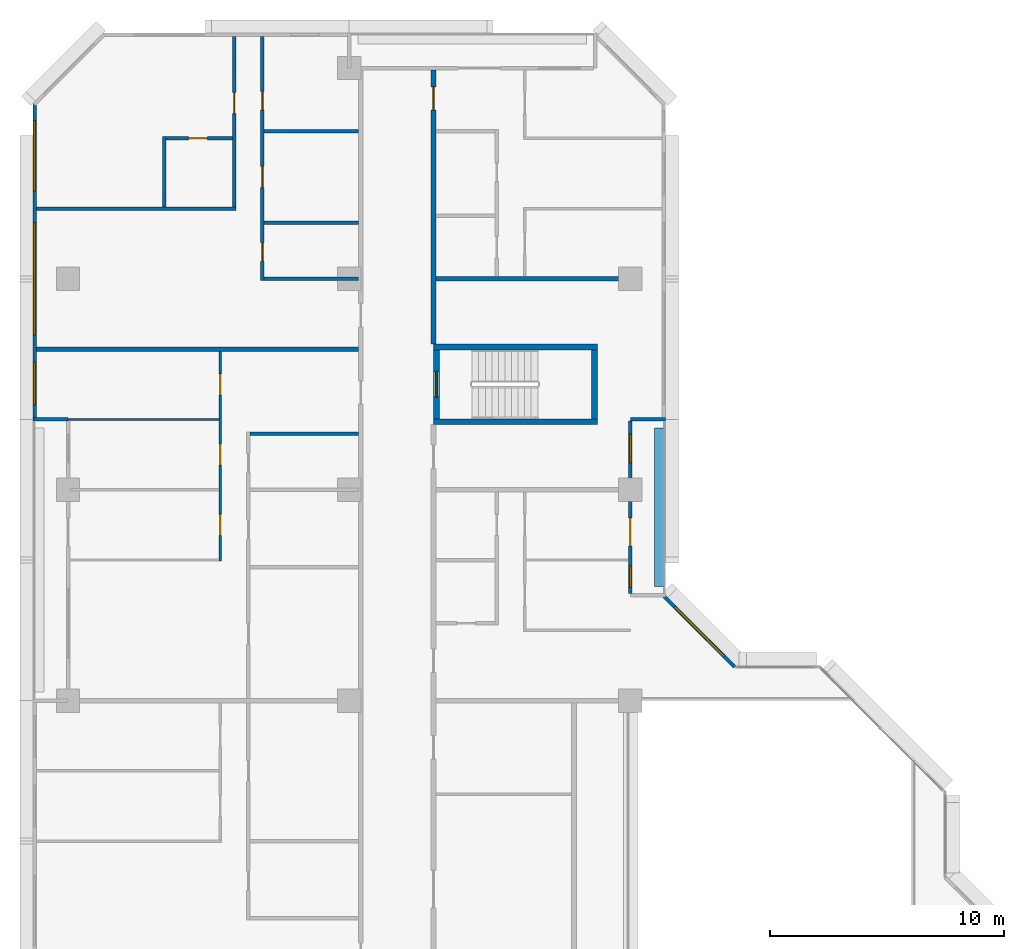
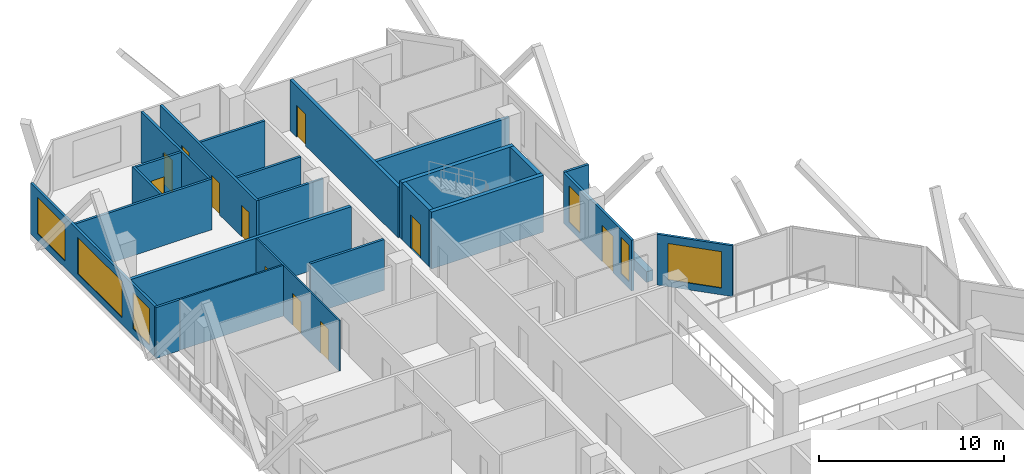
# One storey, part 10 of 15: 24 walls, 11 doors, 6 windows, 17 openings.
"""IFC4 building model written with IfcOpenShell, lengths in metres."""

import ifcopenshell
import ifcopenshell.guid

model = None  # the IFC model being written
_history = None  # IfcOwnerHistory: only IFC2X3 demands one
_inside = {}  # id of a spatial element -> (the spatial element, [elements in it])
_under = {}  # id of a project, library or spatial element -> (it, [spatial elements below it])
_declared = {}  # id of a project -> (the project, [libraries it declares])
_typed = {}  # id of a type object -> (the type object, [elements of that type])
_made_of = {}  # id of a material, layer set ... -> (it, [elements and type objects made of it])


def new_model(schema):
    """Start an empty IFC model of exactly this schema.

    Asked for "IFC4X3", IfcOpenShell would pick the latest addendum, in which some entities
    have other attributes; the version numbers below select the first issue.
    IFC2X3 requires an IfcOwnerHistory on every rooted entity: one is made here for all.
    """
    global model, _history
    if schema == "IFC4X3":
        model = ifcopenshell.file(schema_version=(4, 3, 0, 0))
    else:
        model = ifcopenshell.file(schema=schema)
    _inside.clear()
    _under.clear()
    _declared.clear()
    _typed.clear()
    _made_of.clear()
    _history = None
    if model.schema == "IFC2X3":
        org = make("IfcOrganization", Name="unknown")
        user = make(
            "IfcPersonAndOrganization",
            ThePerson=make("IfcPerson", FamilyName="unknown"),
            TheOrganization=org,
        )
        app = make(
            "IfcApplication",
            ApplicationDeveloper=org,
            Version="unknown",
            ApplicationFullName="unknown",
            ApplicationIdentifier="unknown",
        )
        _history = make(
            "IfcOwnerHistory",
            OwningUser=user,
            OwningApplication=app,
            ChangeAction="ADDED",
            CreationDate=0,
        )
    return model


def make(cls, **values):
    """One entity of the class cls with the attributes given. An attribute that is None is left unset."""
    return model.create_entity(
        cls, **{name: value for name, value in values.items() if value is not None}
    )


def rooted(cls, **values):
    """An entity with a GlobalId (a new one), such as an element, a storey or a relation."""
    return make(cls, GlobalId=ifcopenshell.guid.new(), OwnerHistory=_history, **values)


def si_unit(unit_type, name, prefix=None):
    """IfcSIUnit, for example si_unit("LENGTHUNIT", "METRE", prefix="MILLI")."""
    return make("IfcSIUnit", UnitType=unit_type, Prefix=prefix, Name=name)


def assignment(units):
    """IfcUnitAssignment: the units of a project."""
    return None if units is None else make("IfcUnitAssignment", Units=units)


def point(xyz):
    """IfcCartesianPoint."""
    return None if xyz is None else make("IfcCartesianPoint", Coordinates=xyz)


def direction(xyz):
    """IfcDirection."""
    return None if xyz is None else make("IfcDirection", DirectionRatios=xyz)


def frame(location, z_axis=None, x_axis=None):
    """IfcAxis2Placement3D, a coordinate frame: its origin and axes. An axis left out is left unset."""
    return make(
        "IfcAxis2Placement3D",
        Location=point(location),
        Axis=direction(z_axis),
        RefDirection=direction(x_axis),
    )


def frame_2d(location, x_axis=None):
    """IfcAxis2Placement2D, a coordinate frame in the plane: its origin and x axis."""
    return make(
        "IfcAxis2Placement2D", Location=point(location), RefDirection=direction(x_axis)
    )


def origin():
    """The frame at (0, 0, 0) with its axes left unset."""
    return frame((0.0, 0.0, 0.0))


def place(relative_to, where):
    """IfcLocalPlacement: puts the frame where relative to a parent placement (None: the world)."""
    return make(
        "IfcLocalPlacement", PlacementRelTo=relative_to, RelativePlacement=where
    )


def context(
    kind, dimensions, precision=None, world=None, true_north=None, identifier=None
):
    """IfcGeometricRepresentationContext, for example the 3D "Model" context."""
    return make(
        "IfcGeometricRepresentationContext",
        ContextIdentifier=identifier,
        ContextType=kind,
        CoordinateSpaceDimension=dimensions,
        Precision=precision,
        WorldCoordinateSystem=world,
        TrueNorth=true_north,
    )


def subcontext(parent, identifier, kind, view, scale=None):
    """IfcGeometricRepresentationSubContext, for example "Body" below "Model"."""
    return make(
        "IfcGeometricRepresentationSubContext",
        ContextIdentifier=identifier,
        ContextType=kind,
        ParentContext=parent,
        TargetScale=scale,
        TargetView=view,
    )


def project(units=None, contexts=None):
    """IfcProject with its units and contexts."""
    return rooted(
        "IfcProject",
        Name="project",
        RepresentationContexts=contexts,
        UnitsInContext=assignment(units),
    )


def spatial(cls, under=None, at=None, **own):
    """A site, building, storey or space (cls), placed at a placement, below another one or the project."""
    s = rooted(cls, ObjectPlacement=at, **own)
    if under is not None:
        _under.setdefault(under.id(), (under, []))[1].append(s)
    return s


def profile(cls, at=None, kind="AREA", **sizes):
    """A parametric profile (cls). Its sizes go by their IFC names, for example OverallWidth=200.0."""
    return make(cls, ProfileType=kind, Position=at, **sizes)


def rectangle(**sizes):
    """IfcRectangleProfileDef."""
    return profile("IfcRectangleProfileDef", **sizes)


def extrude(swept, where, along, depth):
    """IfcExtrudedAreaSolid: the profile swept, set in the frame where, extruded along a direction by depth."""
    return make(
        "IfcExtrudedAreaSolid",
        SweptArea=swept,
        Position=where,
        ExtrudedDirection=direction(along),
        Depth=depth,
    )


def shape(context_of_items, identifier, shape_type, items):
    """IfcShapeRepresentation: the items that make up one representation, for example the "Body"."""
    return make(
        "IfcShapeRepresentation",
        ContextOfItems=context_of_items,
        RepresentationIdentifier=identifier,
        RepresentationType=shape_type,
        Items=items,
    )


def material(Name=None, Category=None):
    """IfcMaterial."""
    return make("IfcMaterial", Name=Name, Category=Category)


def layer(
    of_material, thickness, ventilated=None, Name=None, Category=None, Priority=None
):
    """IfcMaterialLayer: one layer of a wall or slab, of a material (None: an air gap)."""
    return make(
        "IfcMaterialLayer",
        Material=of_material,
        LayerThickness=thickness,
        IsVentilated=ventilated,
        Name=Name,
        Category=Category,
        Priority=Priority,
    )


def layer_set(layers, Name=None):
    """IfcMaterialLayerSet."""
    return make("IfcMaterialLayerSet", MaterialLayers=layers, LayerSetName=Name)


def made_of(thing, what):
    """Note that an element or type object is made of a material, layer set ...; save() writes the relation."""
    if what is not None:
        _made_of.setdefault(what.id(), (what, []))[1].append(thing)
    return thing


def type_object(cls, material=None, **own):
    """A type object (cls), such as IfcWallType, which elements share."""
    return made_of(rooted(cls, **own), material)


def element(
    cls,
    number,
    at=None,
    inside=None,
    cuts=None,
    type_object=None,
    material=None,
    context=None,
    identifier="Body",
    shape_type=None,
    held_by="IfcProductDefinitionShape",
    body=None,
    shapes=None,
    **own,
):
    """One element of the class cls, such as IfcWall. Its Tag is "e" and its number.

    at: its placement. inside: the storey or other place that contains it. cuts: it is an
    opening in that element (IfcRelVoidsElement). A single representation is given by context,
    identifier, shape_type and body (its items); several are given by shapes. held_by: the class
    of the entity that holds the representations. save() writes the other relations.
    """
    e = rooted(cls, Tag="e%d" % number, ObjectPlacement=at, **own)
    if body is not None:
        shapes = [shape(context, identifier, shape_type, body)]
    if shapes is not None:
        e.Representation = make(held_by, Representations=shapes)
    if inside is not None:
        _inside.setdefault(inside.id(), (inside, []))[1].append(e)
    if cuts is not None:
        rooted(
            "IfcRelVoidsElement", RelatingBuildingElement=cuts, RelatedOpeningElement=e
        )
    if type_object is not None:
        _typed.setdefault(type_object.id(), (type_object, []))[1].append(e)
    return made_of(e, material)


def fill(opening, filler):
    """IfcRelFillsElement: the door or window that sits in an opening."""
    return rooted(
        "IfcRelFillsElement",
        RelatingOpeningElement=opening,
        RelatedBuildingElement=filler,
    )


def aggregate(whole, parts):
    """IfcRelAggregates: a whole, such as a stair, and the parts it consists of."""
    return rooted("IfcRelAggregates", RelatingObject=whole, RelatedObjects=parts)


def save(model, path):
    """Write the relations noted so far, then the file.

    IfcRelAggregates (storeys below a building ...), IfcRelContainedInSpatialStructure (elements
    in a storey), IfcRelDefinesByType, IfcRelAssociatesMaterial and IfcRelDeclares: one each for
    every whole, place, type object, material and project.
    """
    for whole, parts in _under.values():
        aggregate(whole, parts)
    for where, things in _inside.values():
        rooted(
            "IfcRelContainedInSpatialStructure",
            RelatedElements=things,
            RelatingStructure=where,
        )
    for kind, things in _typed.values():
        rooted("IfcRelDefinesByType", RelatedObjects=things, RelatingType=kind)
    for what, things in _made_of.values():
        rooted("IfcRelAssociatesMaterial", RelatedObjects=things, RelatingMaterial=what)
    for by, libraries in _declared.values():
        rooted("IfcRelDeclares", RelatingContext=by, RelatedDefinitions=libraries)
    model.write(path)


model = new_model("IFC4")

# Units and contexts
model_context = context("Model", 3, precision=1e-05, world=origin(), true_north=direction((0.0, 1.0)))
body_context = subcontext(model_context, "Body", "Model", "MODEL_VIEW")
ifc_project = project(units=[si_unit("LENGTHUNIT", "METRE"), si_unit("AREAUNIT", "SQUARE_METRE"), si_unit("VOLUMEUNIT", "CUBIC_METRE"), si_unit("PLANEANGLEUNIT", "RADIAN"), si_unit("MASSUNIT", "GRAM", prefix="KILO")], contexts=[model_context])

# Site, building, storey
site_placement = place(None, origin())
site = spatial("IfcSite", under=ifc_project, at=site_placement, CompositionType="ELEMENT")
building_placement = place(site_placement, origin())
building = spatial("IfcBuilding", under=site, at=building_placement, Name="Chenar Terraces", CompositionType="ELEMENT")
storey_placement = place(building_placement, frame((0.0, 0.0, 114.39990234375)))
storey = spatial("IfcBuildingStorey", under=building, at=storey_placement, Name="L26", CompositionType="ELEMENT", Elevation=114.39990234375)

# Walls
ifc_material_1 = material(Name="Concrete C70/85", Category="concrete")
ifc_layer_1 = layer(ifc_material_1, 0.25)
ifc_layer_set_1 = layer_set([ifc_layer_1], Name="Concrete C70/85")
wall_type_1 = type_object("IfcWallType", Name="Core wall 250 Concrete C70/85", PredefinedType="SHEAR", material=ifc_layer_set_1)
for number, where, z_axis, x_axis, name in (
    (1, (15.60009765625, 47.89990234375, 0.0), (0.0, 0.0, 1.0), (1.0, 0.0, 0.0), "Core wall ST4_S L26"),
    (2, (15.60009765625, 51.10009765625, 0.0), (0.0, 0.0, 1.0), (1.0, 0.0, 0.0), "Core wall ST4_N L26"),
):
    element("IfcWall", number, at=place(storey_placement, frame(where, z_axis=z_axis, x_axis=x_axis)), inside=storey, type_object=wall_type_1, Name=name, PredefinedType="SHEAR", context=body_context, shape_type="SweptSolid", body=[
        extrude(rectangle(XDim=7.0, YDim=0.25, at=frame_2d((3.5, 0.0))), origin(), (0.0, 0.0, 1.0), 3.75),
    ])

# Wall, opening, door
wall_1_placement = place(storey_placement, frame((15.72509765625, 48.02490234375, 0.0), z_axis=(0.0, 0.0, 1.0), x_axis=(0.0, 1.0, 0.0)))
wall_1 = element("IfcWall", 3, at=wall_1_placement, inside=storey, type_object=wall_type_1, Name="Core wall ST4_W L26", PredefinedType="SHEAR", context=body_context, shape_type="SweptSolid", body=[
    extrude(rectangle(XDim=2.9501953125, YDim=0.25, at=frame_2d((1.47509765625, 0.0))), origin(), (0.0, 0.0, 1.0), 3.75),
])
opening_1_placement = place(wall_1_placement, frame((0.925048828125, 0.0, 0.0)))
opening_1 = element("IfcOpeningElement", 4, at=opening_1_placement, cuts=wall_1, Name="Opening DL26-C9", PredefinedType="OPENING", context=body_context, shape_type="SweptSolid", body=[
    extrude(rectangle(XDim=1.10009765625, YDim=2.199951171875, at=frame_2d((0.550048828125, 1.10009765625))), frame((0.0, 0.135009765625, 0.0), z_axis=(0.0, -1.0, 0.0), x_axis=(1.0, 0.0, 0.0)), (0.0, 0.0, 1.0), 0.27001953125),
])
ifc_material_2 = material(Name="Steel-framed fire-resisting door leaf", Category="steel")
door_type_1 = type_object("IfcDoorType", Name="Stair fire door FD60 1100 x 2200", OperationType="SINGLE_SWING_LEFT", PredefinedType="DOOR", material=ifc_material_2)
door_1_placement = place(opening_1_placement, frame((1.10009765625, 0.0, 0.0), z_axis=(0.0, 0.0, 1.0), x_axis=(-1.0, 0.0, 0.0)))
door_1 = element("IfcDoor", 5, at=door_1_placement, inside=storey, type_object=door_type_1, Name="Stair door DL26-C9", OperationType="SINGLE_SWING_RIGHT", OverallHeight=2.199951171875, OverallWidth=1.10009765625, PredefinedType="DOOR", context=body_context, shape_type="SweptSolid", body=[
    extrude(rectangle(XDim=1.10009765625, YDim=2.199951171875, at=frame_2d((0.550048828125, 1.10009765625))), frame((0.0, 0.02490234375, 0.0), z_axis=(0.0, -1.0, 0.0), x_axis=(1.0, 0.0, 0.0)), (0.0, 0.0, 1.0), 0.050048828125),
])
fill(opening_1, door_1)

# Wall
wall_2_placement = place(storey_placement, frame((22.47509765625, 48.02490234375, 0.0), z_axis=(0.0, 0.0, 1.0), x_axis=(0.0, 1.0, 0.0)))
element("IfcWall", 6, at=wall_2_placement, inside=storey, type_object=wall_type_1, Name="Core wall ST4_E L26", PredefinedType="SHEAR", context=body_context, shape_type="SweptSolid", body=[
    extrude(rectangle(XDim=2.9501953125, YDim=0.25, at=frame_2d((1.47509765625, 0.0))), origin(), (0.0, 0.0, 1.0), 3.75),
])

# Wall, opening, door
ifc_material_3 = material(Name="Gypsum board on steel studs with fire boards", Category="steel")
ifc_layer_2 = layer(ifc_material_3, 0.199951171875)
ifc_layer_set_2 = layer_set([ifc_layer_2], Name="Gypsum board on steel studs with fire boards")
wall_type_2 = type_object("IfcWallType", Name="Corridor wall 200", PredefinedType="PARTITIONING", material=ifc_layer_set_2)
wall_3_placement = place(storey_placement, frame((15.60009765625, 51.22509765625, 0.0), z_axis=(0.0, 0.0, 1.0), x_axis=(0.0, 1.0, 0.0)))
wall_3 = element("IfcWall", 7, at=wall_3_placement, inside=storey, type_object=wall_type_2, Name="Partition L26-035", PredefinedType="PARTITIONING", context=body_context, shape_type="SweptSolid", body=[
    extrude(rectangle(XDim=11.700927734375, YDim=0.199951171875, at=frame_2d((5.8505859375, 0.0))), origin(), (0.0, 0.0, 1.0), 3.35009765625),
])
opening_2_placement = place(wall_3_placement, frame((9.97509765625, 0.0, 0.0)))
opening_2 = element("IfcOpeningElement", 8, at=opening_2_placement, cuts=wall_3, Name="Opening DL26-38", PredefinedType="OPENING", context=body_context, shape_type="SweptSolid", body=[
    extrude(rectangle(XDim=1.0, YDim=2.10009765625, at=frame_2d((0.5, 1.050048828125))), frame((0.0, 0.10986328125, 0.0), z_axis=(0.0, -1.0, 0.0), x_axis=(1.0, 0.0, 0.0)), (0.0, 0.0, 1.0), 0.219970703125),
])
ifc_material_4 = material(Name="Steel-framed fire-resisting door leaf", Category="steel")
door_type_2 = type_object("IfcDoorType", Name="Fire door FD30S 1000 x 2100", OperationType="SINGLE_SWING_LEFT", PredefinedType="DOOR", material=ifc_material_4)
door_2_placement = place(opening_2_placement, frame((1.0, 0.0, 0.0), z_axis=(0.0, 0.0, 1.0), x_axis=(-1.0, 0.0, 0.0)))
door_2 = element("IfcDoor", 9, at=door_2_placement, inside=storey, type_object=door_type_2, Name="Door DL26-38", OperationType="SINGLE_SWING_LEFT", OverallHeight=2.10009765625, OverallWidth=1.0, PredefinedType="DOOR", context=body_context, shape_type="SweptSolid", body=[
    extrude(rectangle(XDim=1.0, YDim=2.10009765625, at=frame_2d((0.5, 1.050048828125))), frame((0.0, 0.02490234375, 0.0), z_axis=(0.0, -1.0, 0.0), x_axis=(1.0, 0.0, 0.0)), (0.0, 0.0, 1.0), 0.050048828125),
])
fill(opening_2, door_2)

# Wall, openings, windows
ifc_material_5 = material(Name="Aluminium framed glazing", Category="aluminium")
ifc_layer_3 = layer(ifc_material_5, 0.14990234375)
ifc_layer_set_3 = layer_set([ifc_layer_3], Name="Aluminium framed glazing")
wall_type_3 = type_object("IfcWallType", Name="Glazed flush facade wall 150", PredefinedType="SOLIDWALL", material=ifc_layer_set_3)
wall_4_placement = place(storey_placement, frame((-1.425048828125, 61.5, 0.0), z_axis=(0.0, 0.0, 1.0), x_axis=(0.0, -1.0, 0.0)))
wall_4 = element("IfcWall", 10, at=wall_4_placement, inside=storey, type_object=wall_type_3, Name="Glazed flush facade wall", PredefinedType="SOLIDWALL", context=body_context, shape_type="SweptSolid", body=[
    extrude(rectangle(XDim=13.425048828125, YDim=0.14990234375, at=frame_2d((6.71240234375, 0.0))), origin(), (0.0, 0.0, 1.0), 3.35009765625),
])
opening_3_placement = place(wall_4_placement, frame((0.75, 0.0, 0.449951171875)))
opening_3 = element("IfcOpeningElement", 11, at=opening_3_placement, cuts=wall_4, Name="Opening W300x240", PredefinedType="OPENING", context=body_context, shape_type="SweptSolid", body=[
    extrude(rectangle(XDim=3.0, YDim=2.39990234375, at=frame_2d((1.5, 1.199951171875))), frame((0.0, 0.0849609375, 0.0), z_axis=(0.0, -1.0, 0.0), x_axis=(1.0, 0.0, 0.0)), (0.0, 0.0, 1.0), 0.169921875),
])
opening_4_placement = place(wall_4_placement, frame((5.10009765625, 0.0, 0.449951171875)))
opening_4 = element("IfcOpeningElement", 12, at=opening_4_placement, cuts=wall_4, Name="Opening W480x240", PredefinedType="OPENING", context=body_context, shape_type="SweptSolid", body=[
    extrude(rectangle(XDim=4.800048828125, YDim=2.39990234375, at=frame_2d((2.39990234375, 1.199951171875))), frame((0.0, 0.0849609375, 0.0), z_axis=(0.0, -1.0, 0.0), x_axis=(1.0, 0.0, 0.0)), (0.0, 0.0, 1.0), 0.169921875),
])
opening_5_placement = place(wall_4_placement, frame((11.0625, 0.0, 0.449951171875)))
opening_5 = element("IfcOpeningElement", 13, at=opening_5_placement, cuts=wall_4, Name="Opening W180x240", PredefinedType="OPENING", context=body_context, shape_type="SweptSolid", body=[
    extrude(rectangle(XDim=1.800048828125, YDim=2.39990234375, at=frame_2d((0.89990234375, 1.199951171875))), frame((0.0, 0.0849609375, 0.0), z_axis=(0.0, -1.0, 0.0), x_axis=(1.0, 0.0, 0.0)), (0.0, 0.0, 1.0), 0.169921875),
])
ifc_material_6 = material(Name="Low emissivity double glazing, aluminium frame", Category="aluminium")
window_type_1 = type_object("IfcWindowType", Name="Fixed light 1800 x 2400", PartitioningType="SINGLE_PANEL", PredefinedType="WINDOW", material=ifc_material_6)
window_1_placement = place(opening_5_placement, origin())
window_1 = element("IfcWindow", 14, at=window_1_placement, inside=storey, type_object=window_type_1, Name="Window", OverallHeight=2.39990234375, OverallWidth=1.800048828125, PartitioningType="SINGLE_PANEL", PredefinedType="WINDOW", context=body_context, shape_type="SweptSolid", body=[
    extrude(rectangle(XDim=1.800048828125, YDim=2.39990234375, at=frame_2d((0.89990234375, 1.199951171875))), frame((0.0, 0.030029296875, 0.0), z_axis=(0.0, -1.0, 0.0), x_axis=(1.0, 0.0, 0.0)), (0.0, 0.0, 1.0), 0.06005859375),
])
fill(opening_5, window_1)
ifc_material_7 = material(Name="Low emissivity double glazing, aluminium frame", Category="aluminium")
window_type_2 = type_object("IfcWindowType", Name="Fixed light 3000 x 2400", PartitioningType="SINGLE_PANEL", PredefinedType="WINDOW", material=ifc_material_7)
window_2_placement = place(opening_3_placement, origin())
window_2 = element("IfcWindow", 15, at=window_2_placement, inside=storey, type_object=window_type_2, Name="Window", OverallHeight=2.39990234375, OverallWidth=3.0, PartitioningType="SINGLE_PANEL", PredefinedType="WINDOW", context=body_context, shape_type="SweptSolid", body=[
    extrude(rectangle(XDim=3.0, YDim=2.39990234375, at=frame_2d((1.5, 1.199951171875))), frame((0.0, 0.030029296875, 0.0), z_axis=(0.0, -1.0, 0.0), x_axis=(1.0, 0.0, 0.0)), (0.0, 0.0, 1.0), 0.06005859375),
])
fill(opening_3, window_2)
ifc_material_8 = material(Name="Low emissivity double glazing, aluminium frame", Category="aluminium")
window_type_3 = type_object("IfcWindowType", Name="Fixed light 4800 x 2400", PartitioningType="SINGLE_PANEL", PredefinedType="WINDOW", material=ifc_material_8)
window_3_placement = place(opening_4_placement, origin())
window_3 = element("IfcWindow", 16, at=window_3_placement, inside=storey, type_object=window_type_3, Name="Window", OverallHeight=2.39990234375, OverallWidth=4.800048828125, PartitioningType="SINGLE_PANEL", PredefinedType="WINDOW", context=body_context, shape_type="SweptSolid", body=[
    extrude(rectangle(XDim=4.800048828125, YDim=2.39990234375, at=frame_2d((2.39990234375, 1.199951171875))), frame((0.0, 0.030029296875, 0.0), z_axis=(0.0, -1.0, 0.0), x_axis=(1.0, 0.0, 0.0)), (0.0, 0.0, 1.0), 0.06005859375),
])
fill(opening_4, window_3)

# Wall, openings, windows, door
ifc_material_9 = material(Name="Aluminium framed glazing", Category="aluminium")
ifc_layer_4 = layer(ifc_material_9, 0.14990234375)
ifc_layer_set_4 = layer_set([ifc_layer_4], Name="Aluminium framed glazing")
wall_type_4 = type_object("IfcWallType", Name="Glazed loggia back wall 150", PredefinedType="SOLIDWALL", material=ifc_layer_set_4)
wall_5_placement = place(storey_placement, frame((24.0, 40.574951171875, 0.0), z_axis=(0.0, 0.0, 1.0), x_axis=(0.0, 1.0, 0.0)))
wall_5 = element("IfcWall", 17, at=wall_5_placement, inside=storey, type_object=wall_type_4, Name="Glazed loggia back wall", PredefinedType="SOLIDWALL", context=body_context, shape_type="SweptSolid", body=[
    extrude(rectangle(XDim=7.35009765625, YDim=0.14990234375, at=frame_2d((3.675048828125, 0.0))), origin(), (0.0, 0.0, 1.0), 3.35009765625),
])
opening_6_placement = place(wall_5_placement, frame((0.262451171875, 0.0, 0.449951171875)))
opening_6 = element("IfcOpeningElement", 18, at=opening_6_placement, cuts=wall_5, Name="Opening W90x240", PredefinedType="OPENING", context=body_context, shape_type="SweptSolid", body=[
    extrude(rectangle(XDim=0.89990234375, YDim=2.39990234375, at=frame_2d((0.449951171875, 1.199951171875))), frame((0.0, 0.0849609375, 0.0), z_axis=(0.0, -1.0, 0.0), x_axis=(1.0, 0.0, 0.0)), (0.0, 0.0, 1.0), 0.169921875),
])
opening_7_placement = place(wall_5_placement, frame((2.02490234375, 0.0, 0.0)))
opening_7 = element("IfcOpeningElement", 19, at=opening_7_placement, cuts=wall_5, Name="Opening DL26-G2", PredefinedType="OPENING", context=body_context, shape_type="SweptSolid", body=[
    extrude(rectangle(XDim=1.199951171875, YDim=2.39990234375, at=frame_2d((0.60009765625, 1.199951171875))), frame((0.0, 0.0849609375, 0.0), z_axis=(0.0, -1.0, 0.0), x_axis=(1.0, 0.0, 0.0)), (0.0, 0.0, 1.0), 0.169921875),
])
opening_8_placement = place(wall_5_placement, frame((5.58740234375, 0.0, 0.449951171875)))
opening_8 = element("IfcOpeningElement", 20, at=opening_8_placement, cuts=wall_5, Name="Opening W120x240", PredefinedType="OPENING", context=body_context, shape_type="SweptSolid", body=[
    extrude(rectangle(XDim=1.199951171875, YDim=2.39990234375, at=frame_2d((0.60009765625, 1.199951171875))), frame((0.0, 0.0849609375, 0.0), z_axis=(0.0, -1.0, 0.0), x_axis=(1.0, 0.0, 0.0)), (0.0, 0.0, 1.0), 0.169921875),
])
ifc_material_10 = material(Name="Low emissivity double glazing, aluminium frame", Category="aluminium")
window_type_4 = type_object("IfcWindowType", Name="Fixed light 1200 x 2400", PartitioningType="SINGLE_PANEL", PredefinedType="WINDOW", material=ifc_material_10)
window_4_placement = place(opening_8_placement, origin())
window_4 = element("IfcWindow", 21, at=window_4_placement, inside=storey, type_object=window_type_4, Name="Window", OverallHeight=2.39990234375, OverallWidth=1.199951171875, PartitioningType="SINGLE_PANEL", PredefinedType="WINDOW", context=body_context, shape_type="SweptSolid", body=[
    extrude(rectangle(XDim=1.199951171875, YDim=2.39990234375, at=frame_2d((0.60009765625, 1.199951171875))), frame((0.0, 0.030029296875, 0.0), z_axis=(0.0, -1.0, 0.0), x_axis=(1.0, 0.0, 0.0)), (0.0, 0.0, 1.0), 0.06005859375),
])
fill(opening_8, window_4)
ifc_material_11 = material(Name="Low emissivity double glazing, aluminium frame", Category="aluminium")
window_type_5 = type_object("IfcWindowType", Name="Fixed light 900 x 2400", PartitioningType="SINGLE_PANEL", PredefinedType="WINDOW", material=ifc_material_11)
window_5_placement = place(opening_6_placement, origin())
window_5 = element("IfcWindow", 22, at=window_5_placement, inside=storey, type_object=window_type_5, Name="Window", OverallHeight=2.39990234375, OverallWidth=0.89990234375, PartitioningType="SINGLE_PANEL", PredefinedType="WINDOW", context=body_context, shape_type="SweptSolid", body=[
    extrude(rectangle(XDim=0.89990234375, YDim=2.39990234375, at=frame_2d((0.449951171875, 1.199951171875))), frame((0.0, 0.030029296875, 0.0), z_axis=(0.0, -1.0, 0.0), x_axis=(1.0, 0.0, 0.0)), (0.0, 0.0, 1.0), 0.06005859375),
])
fill(opening_6, window_5)
ifc_material_12 = material(Name="Low emissivity double glazing, aluminium frame", Category="aluminium")
door_type_3 = type_object("IfcDoorType", Name="Loggia glazed double door 1200 x 2400", OperationType="DOUBLE_DOOR_SINGLE_SWING", PredefinedType="DOOR", material=ifc_material_12)
door_3_placement = place(opening_7_placement, frame((1.199951171875, 0.0, 0.0), z_axis=(0.0, 0.0, 1.0), x_axis=(-1.0, 0.0, 0.0)))
door_3 = element("IfcDoor", 23, at=door_3_placement, inside=storey, type_object=door_type_3, Name="Loggia glazed door", OperationType="DOUBLE_DOOR_SINGLE_SWING", OverallHeight=2.39990234375, OverallWidth=1.199951171875, PredefinedType="DOOR", context=body_context, shape_type="SweptSolid", body=[
    extrude(rectangle(XDim=1.199951171875, YDim=2.39990234375, at=frame_2d((0.60009765625, 1.199951171875))), frame((0.0, 0.02490234375, 0.0), z_axis=(0.0, -1.0, 0.0), x_axis=(1.0, 0.0, 0.0)), (0.0, 0.0, 1.0), 0.050048828125),
])
fill(opening_7, door_3)

# Wall
ifc_material_13 = material(Name="Gypsum board on steel studs", Category="steel")
ifc_layer_5 = layer(ifc_material_13, 0.10009765625)
ifc_layer_set_5 = layer_set([ifc_layer_5], Name="Gypsum board on steel studs")
wall_type_5 = type_object("IfcWallType", Name="Gypsum partition 100", PredefinedType="PARTITIONING", material=ifc_layer_set_5)
wall_6_placement = place(storey_placement, frame((0.0, 48.0, 0.0), z_axis=(0.0, 0.0, 1.0), x_axis=(1.0, 0.0, 0.0)))
element("IfcWall", 24, at=wall_6_placement, inside=storey, type_object=wall_type_5, Name="Partition L26-004", PredefinedType="PARTITIONING", context=body_context, shape_type="SweptSolid", body=[
    extrude(rectangle(XDim=6.449951171875, YDim=0.10009765625, at=frame_2d((3.22509765625, 0.0))), origin(), (0.0, 0.0, 1.0), 3.35009765625),
])

# Wall, openings, doors
wall_7_placement = place(storey_placement, frame((6.5, 41.949951171875, 0.0), z_axis=(0.0, 0.0, 1.0), x_axis=(0.0, 1.0, 0.0)))
wall_7 = element("IfcWall", 25, at=wall_7_placement, inside=storey, type_object=wall_type_5, Name="Partition L26-015", PredefinedType="PARTITIONING", context=body_context, shape_type="SweptSolid", body=[
    extrude(rectangle(XDim=8.949951171875, YDim=0.10009765625, at=frame_2d((4.47509765625, 0.0))), origin(), (0.0, 0.0, 1.0), 3.35009765625),
])
opening_9_placement = place(wall_7_placement, frame((1.10009765625, 0.0, 0.0)))
opening_9 = element("IfcOpeningElement", 26, at=opening_9_placement, cuts=wall_7, Name="Opening DL26-40", PredefinedType="OPENING", context=body_context, shape_type="SweptSolid", body=[
    extrude(rectangle(XDim=0.89990234375, YDim=2.10009765625, at=frame_2d((0.449951171875, 1.050048828125))), frame((0.0, 0.06005859375, 0.0), z_axis=(0.0, -1.0, 0.0), x_axis=(1.0, 0.0, 0.0)), (0.0, 0.0, 1.0), 0.1201171875),
])
opening_10_placement = place(wall_7_placement, frame((7.10009765625, 0.0, 0.0)))
opening_10 = element("IfcOpeningElement", 27, at=opening_10_placement, cuts=wall_7, Name="Opening DL26-41", PredefinedType="OPENING", context=body_context, shape_type="SweptSolid", body=[
    extrude(rectangle(XDim=0.89990234375, YDim=2.10009765625, at=frame_2d((0.449951171875, 1.050048828125))), frame((0.0, 0.06005859375, 0.0), z_axis=(0.0, -1.0, 0.0), x_axis=(1.0, 0.0, 0.0)), (0.0, 0.0, 1.0), 0.1201171875),
])
opening_11_placement = place(wall_7_placement, frame((4.10009765625, 0.0, 0.0)))
opening_11 = element("IfcOpeningElement", 28, at=opening_11_placement, cuts=wall_7, Name="Opening DL26-44", PredefinedType="OPENING", context=body_context, shape_type="SweptSolid", body=[
    extrude(rectangle(XDim=0.89990234375, YDim=2.10009765625, at=frame_2d((0.449951171875, 1.050048828125))), frame((0.0, 0.06005859375, 0.0), z_axis=(0.0, -1.0, 0.0), x_axis=(1.0, 0.0, 0.0)), (0.0, 0.0, 1.0), 0.1201171875),
])
ifc_material_14 = material(Name="Veneered timber door leaf", Category="wood")
door_type_4 = type_object("IfcDoorType", Name="Door 900 x 2100", OperationType="SINGLE_SWING_LEFT", PredefinedType="DOOR", material=ifc_material_14)
door_4_placement = place(opening_9_placement, origin())
door_4 = element("IfcDoor", 29, at=door_4_placement, inside=storey, type_object=door_type_4, Name="Door DL26-40", OperationType="SINGLE_SWING_LEFT", OverallHeight=2.10009765625, OverallWidth=0.89990234375, PredefinedType="DOOR", context=body_context, shape_type="SweptSolid", body=[
    extrude(rectangle(XDim=0.89990234375, YDim=2.10009765625, at=frame_2d((0.449951171875, 1.050048828125))), frame((0.0, 0.02490234375, 0.0), z_axis=(0.0, -1.0, 0.0), x_axis=(1.0, 0.0, 0.0)), (0.0, 0.0, 1.0), 0.050048828125),
])
fill(opening_9, door_4)
door_5_placement = place(opening_10_placement, origin())
door_5 = element("IfcDoor", 30, at=door_5_placement, inside=storey, type_object=door_type_4, Name="Door DL26-41", OperationType="SINGLE_SWING_RIGHT", OverallHeight=2.10009765625, OverallWidth=0.89990234375, PredefinedType="DOOR", context=body_context, shape_type="SweptSolid", body=[
    extrude(rectangle(XDim=0.89990234375, YDim=2.10009765625, at=frame_2d((0.449951171875, 1.050048828125))), frame((0.0, 0.02490234375, 0.0), z_axis=(0.0, -1.0, 0.0), x_axis=(1.0, 0.0, 0.0)), (0.0, 0.0, 1.0), 0.050048828125),
])
fill(opening_10, door_5)
door_6_placement = place(opening_11_placement, origin())
door_6 = element("IfcDoor", 31, at=door_6_placement, inside=storey, type_object=door_type_4, Name="Door DL26-44", OperationType="SINGLE_SWING_LEFT", OverallHeight=2.10009765625, OverallWidth=0.89990234375, PredefinedType="DOOR", context=body_context, shape_type="SweptSolid", body=[
    extrude(rectangle(XDim=0.89990234375, YDim=2.10009765625, at=frame_2d((0.449951171875, 1.050048828125))), frame((0.0, 0.02490234375, 0.0), z_axis=(0.0, -1.0, 0.0), x_axis=(1.0, 0.0, 0.0)), (0.0, 0.0, 1.0), 0.050048828125),
])
fill(opening_11, door_6)

# Walls
ifc_material_15 = material(Name="Terracotta cladding on insulated backing", Category="masonry")
ifc_layer_6 = layer(ifc_material_15, 0.14990234375)
ifc_layer_set_6 = layer_set([ifc_layer_6], Name="Terracotta cladding on insulated backing")
wall_type_6 = type_object("IfcWallType", Name="Loggia return wall 150", PredefinedType="SOLIDWALL", material=ifc_layer_set_6)
for number, where, z_axis, x_axis, name in (
    (32, (25.5, 48.0, 0.0), (0.0, 0.0, 1.0), (-1.0, 0.0, 0.0), "Loggia return wall"),
    (33, (-1.5, 48.0, 0.0), (0.0, 0.0, 1.0), (1.0, 0.0, 0.0), "Loggia return wall"),
):
    element("IfcWall", number, at=place(storey_placement, frame(where, z_axis=z_axis, x_axis=x_axis)), inside=storey, type_object=wall_type_6, Name=name, PredefinedType="SOLIDWALL", context=body_context, shape_type="SweptSolid", body=[
        extrude(rectangle(XDim=1.5, YDim=0.14990234375, at=frame_2d((0.75, 0.0))), origin(), (0.0, 0.0, 1.0), 3.35009765625),
    ])

# Wall, opening, window
ifc_material_16 = material(Name="Terracotta cladding on insulated backing", Category="masonry")
ifc_layer_7 = layer(ifc_material_16, 0.14990234375)
ifc_layer_set_7 = layer_set([ifc_layer_7], Name="Terracotta cladding on insulated backing")
wall_type_7 = type_object("IfcWallType", Name="Terracotta rainscreen wall 150", PredefinedType="SOLIDWALL", material=ifc_layer_set_7)
wall_8_placement = place(storey_placement, frame((28.447021484375, 37.447021484375, 0.0), z_axis=(0.0, 0.0, 1.0), x_axis=(-0.707106781187, 0.707106781187, 0.0)))
wall_8 = element("IfcWall", 34, at=wall_8_placement, inside=storey, type_object=wall_type_7, Name="Terracotta rainscreen wall", PredefinedType="SOLIDWALL", context=body_context, shape_type="SweptSolid", body=[
    extrude(rectangle(XDim=4.24267578125, YDim=0.14990234375, at=frame_2d((2.121337890625, 0.0))), origin(), (0.0, 0.0, 1.0), 3.35009765625),
])
opening_12_placement = place(wall_8_placement, frame((0.621337890625, 0.0, 0.449951171875)))
opening_12 = element("IfcOpeningElement", 35, at=opening_12_placement, cuts=wall_8, Name="Opening W300x240", PredefinedType="OPENING", context=body_context, shape_type="SweptSolid", body=[
    extrude(rectangle(XDim=3.0, YDim=2.39990234375, at=frame_2d((1.5, 1.199951171875))), frame((0.0, 0.0849609375, 0.0), z_axis=(0.0, -1.0, 0.0), x_axis=(1.0, 0.0, 0.0)), (0.0, 0.0, 1.0), 0.169921875),
])
window_6_placement = place(opening_12_placement, origin())
window_6 = element("IfcWindow", 36, at=window_6_placement, inside=storey, type_object=window_type_2, Name="Window", OverallHeight=2.39990234375, OverallWidth=3.0, PartitioningType="SINGLE_PANEL", PredefinedType="WINDOW", context=body_context, shape_type="SweptSolid", body=[
    extrude(rectangle(XDim=3.0, YDim=2.39990234375, at=frame_2d((1.5, 1.199951171875))), frame((0.0, 0.030029296875, 0.0), z_axis=(0.0, -1.0, 0.0), x_axis=(1.0, 0.0, 0.0)), (0.0, 0.0, 1.0), 0.06005859375),
])
fill(opening_12, window_6)

# Walls
ifc_material_17 = material(Name="Twin gypsum board on steel studs with mineral wool", Category="steel")
ifc_layer_8 = layer(ifc_material_17, 0.199951171875)
ifc_layer_set_8 = layer_set([ifc_layer_8], Name="Twin gypsum board on steel studs with mineral wool")
wall_type_8 = type_object("IfcWallType", Name="Unit demising wall 200", PredefinedType="PARTITIONING", material=ifc_layer_set_8)
wall_9_placement = place(storey_placement, frame((-1.35009765625, 51.0, 0.0), z_axis=(0.0, 0.0, 1.0), x_axis=(1.0, 0.0, 0.0)))
element("IfcWall", 37, at=wall_9_placement, inside=storey, type_object=wall_type_8, Name="Partition L26-005", PredefinedType="PARTITIONING", context=body_context, shape_type="SweptSolid", body=[
    extrude(rectangle(XDim=13.75, YDim=0.199951171875, at=frame_2d((6.875, 0.0))), origin(), (0.0, 0.0, 1.0), 3.35009765625),
])
wall_10_placement = place(storey_placement, frame((15.699951171875, 54.0, 0.0), z_axis=(0.0, 0.0, 1.0), x_axis=(1.0, 0.0, 0.0)))
element("IfcWall", 38, at=wall_10_placement, inside=storey, type_object=wall_type_8, Name="Partition L26-042", PredefinedType="PARTITIONING", context=body_context, shape_type="SweptSolid", body=[
    extrude(rectangle(XDim=8.300048828125, YDim=0.199951171875, at=frame_2d((4.14990234375, 0.0))), origin(), (0.0, 0.0, 1.0), 3.35009765625),
])
ifc_material_18 = material(Name="GRP planter trough")
ifc_layer_9 = layer(ifc_material_18, 0.39990234375)
ifc_layer_set_9 = layer_set([ifc_layer_9], Name="GRP planter trough")
wall_type_9 = type_object("IfcWallType", Name="Vertical greenery planter 400", PredefinedType="SOLIDWALL", material=ifc_layer_set_9)
wall_11_placement = place(storey_placement, frame((25.22900390625, 40.875, 0.0), z_axis=(0.0, 0.0, 1.0), x_axis=(0.0, 1.0, 0.0)))
element("IfcWall", 39, at=wall_11_placement, inside=storey, type_object=wall_type_9, Name="Vertical greenery planter", PredefinedType="SOLIDWALL", context=body_context, shape_type="SweptSolid", body=[
    extrude(rectangle(XDim=6.75, YDim=0.39990234375, at=frame_2d((3.375, 0.0))), origin(), (0.0, 0.0, 1.0), 0.7001953125),
])
ifc_material_19 = material(Name="Moisture-resistant gypsum board on steel studs", Category="steel")
ifc_layer_10 = layer(ifc_material_19, 0.14990234375)
ifc_layer_set_10 = layer_set([ifc_layer_10], Name="Moisture-resistant gypsum board on steel studs")
wall_type_10 = type_object("IfcWallType", Name="Wet-room partition 150", PredefinedType="PARTITIONING", material=ifc_layer_set_10)
wall_12_placement = place(storey_placement, frame((-1.35009765625, 57.0, 0.0), z_axis=(0.0, 0.0, 1.0), x_axis=(1.0, 0.0, 0.0)))
element("IfcWall", 40, at=wall_12_placement, inside=storey, type_object=wall_type_10, Name="Partition L26-006", PredefinedType="PARTITIONING", context=body_context, shape_type="SweptSolid", body=[
    extrude(rectangle(XDim=8.525146484375, YDim=0.14990234375, at=frame_2d((4.2626953125, 0.0))), origin(), (0.0, 0.0, 1.0), 3.35009765625),
])
wall_13_placement = place(storey_placement, frame((4.10009765625, 57.074951171875, 0.0), z_axis=(0.0, 0.0, 1.0), x_axis=(0.0, 1.0, 0.0)))
element("IfcWall", 41, at=wall_13_placement, inside=storey, type_object=wall_type_10, Name="Partition L26-012", PredefinedType="PARTITIONING", context=body_context, shape_type="SweptSolid", body=[
    extrude(rectangle(XDim=3.0, YDim=0.14990234375, at=frame_2d((1.5, 0.0))), origin(), (0.0, 0.0, 1.0), 3.35009765625),
])

# Wall, opening, door
wall_14_placement = place(storey_placement, frame((4.175048828125, 60.0, 0.0), z_axis=(0.0, 0.0, 1.0), x_axis=(1.0, 0.0, 0.0)))
wall_14 = element("IfcWall", 42, at=wall_14_placement, inside=storey, type_object=wall_type_10, Name="Partition L26-013", PredefinedType="PARTITIONING", context=body_context, shape_type="SweptSolid", body=[
    extrude(rectangle(XDim=2.849853515625, YDim=0.14990234375, at=frame_2d((1.4248046875, 0.0))), origin(), (0.0, 0.0, 1.0), 3.35009765625),
])
opening_13_placement = place(wall_14_placement, frame((0.97509765625, 0.0, 0.0)))
opening_13 = element("IfcOpeningElement", 43, at=opening_13_placement, cuts=wall_14, Name="Opening DL26-48", PredefinedType="OPENING", context=body_context, shape_type="SweptSolid", body=[
    extrude(rectangle(XDim=0.800048828125, YDim=2.10009765625, at=frame_2d((0.39990234375, 1.050048828125))), frame((0.0, 0.0849609375, 0.0), z_axis=(0.0, -1.0, 0.0), x_axis=(1.0, 0.0, 0.0)), (0.0, 0.0, 1.0), 0.169921875),
])
ifc_material_20 = material(Name="Veneered timber door leaf", Category="wood")
door_type_5 = type_object("IfcDoorType", Name="Door 800 x 2100", OperationType="SINGLE_SWING_LEFT", PredefinedType="DOOR", material=ifc_material_20)
door_7_placement = place(opening_13_placement, frame((0.800048828125, 0.0, 0.0), z_axis=(0.0, 0.0, 1.0), x_axis=(-1.0, 0.0, 0.0)))
door_7 = element("IfcDoor", 44, at=door_7_placement, inside=storey, type_object=door_type_5, Name="Door DL26-48", OperationType="SINGLE_SWING_RIGHT", OverallHeight=2.10009765625, OverallWidth=0.800048828125, PredefinedType="DOOR", context=body_context, shape_type="SweptSolid", body=[
    extrude(rectangle(XDim=0.800048828125, YDim=2.10009765625, at=frame_2d((0.39990234375, 1.050048828125))), frame((0.0, 0.02490234375, 0.0), z_axis=(0.0, -1.0, 0.0), x_axis=(1.0, 0.0, 0.0)), (0.0, 0.0, 1.0), 0.050048828125),
])
fill(opening_13, door_7)

wall_15_placement = place(storey_placement, frame((7.10009765625, 57.074951171875, 0.0), z_axis=(0.0, 0.0, 1.0), x_axis=(0.0, 1.0, 0.0)))
wall_15 = element("IfcWall", 45, at=wall_15_placement, inside=storey, type_object=wall_type_10, Name="Partition L26-016", PredefinedType="PARTITIONING", context=body_context, shape_type="SweptSolid", body=[
    extrude(rectangle(XDim=7.275146484375, YDim=0.14990234375, at=frame_2d((3.6376953125, 0.0))), origin(), (0.0, 0.0, 1.0), 3.35009765625),
])
opening_14_placement = place(wall_15_placement, frame((3.97509765625, 0.0, 0.0)))
opening_14 = element("IfcOpeningElement", 46, at=opening_14_placement, cuts=wall_15, Name="Opening DL26-47", PredefinedType="OPENING", context=body_context, shape_type="SweptSolid", body=[
    extrude(rectangle(XDim=0.89990234375, YDim=2.10009765625, at=frame_2d((0.449951171875, 1.050048828125))), frame((0.0, 0.0849609375, 0.0), z_axis=(0.0, -1.0, 0.0), x_axis=(1.0, 0.0, 0.0)), (0.0, 0.0, 1.0), 0.169921875),
])
door_8_placement = place(opening_14_placement, origin())
door_8 = element("IfcDoor", 47, at=door_8_placement, inside=storey, type_object=door_type_4, Name="Door DL26-47", OperationType="SINGLE_SWING_LEFT", OverallHeight=2.10009765625, OverallWidth=0.89990234375, PredefinedType="DOOR", context=body_context, shape_type="SweptSolid", body=[
    extrude(rectangle(XDim=0.89990234375, YDim=2.10009765625, at=frame_2d((0.449951171875, 1.050048828125))), frame((0.0, 0.02490234375, 0.0), z_axis=(0.0, -1.0, 0.0), x_axis=(1.0, 0.0, 0.0)), (0.0, 0.0, 1.0), 0.050048828125),
])
fill(opening_14, door_8)

# Wall
wall_16_placement = place(storey_placement, frame((7.77490234375, 47.39990234375, 0.0), z_axis=(0.0, 0.0, 1.0), x_axis=(1.0, 0.0, 0.0)))
element("IfcWall", 48, at=wall_16_placement, inside=storey, type_object=wall_type_10, Name="Partition L26-023", PredefinedType="PARTITIONING", context=body_context, shape_type="SweptSolid", body=[
    extrude(rectangle(XDim=4.625, YDim=0.14990234375, at=frame_2d((2.3125, 0.0))), origin(), (0.0, 0.0, 1.0), 3.35009765625),
])

# Wall, openings, doors
wall_17_placement = place(storey_placement, frame((8.300048828125, 53.925048828125, 0.0), z_axis=(0.0, 0.0, 1.0), x_axis=(0.0, 1.0, 0.0)))
wall_17 = element("IfcWall", 49, at=wall_17_placement, inside=storey, type_object=wall_type_10, Name="Partition L26-024", PredefinedType="PARTITIONING", context=body_context, shape_type="SweptSolid", body=[
    extrude(rectangle(XDim=10.425048828125, YDim=0.14990234375, at=frame_2d((5.21240234375, 0.0))), origin(), (0.0, 0.0, 1.0), 3.35009765625),
])
opening_15_placement = place(wall_17_placement, frame((0.824951171875, 0.0, 0.0)))
opening_15 = element("IfcOpeningElement", 50, at=opening_15_placement, cuts=wall_17, Name="Opening DL26-46", PredefinedType="OPENING", context=body_context, shape_type="SweptSolid", body=[
    extrude(rectangle(XDim=0.800048828125, YDim=2.10009765625, at=frame_2d((0.39990234375, 1.050048828125))), frame((0.0, 0.0849609375, 0.0), z_axis=(0.0, -1.0, 0.0), x_axis=(1.0, 0.0, 0.0)), (0.0, 0.0, 1.0), 0.169921875),
])
opening_16_placement = place(wall_17_placement, frame((3.97509765625, 0.0, 0.0)))
opening_16 = element("IfcOpeningElement", 51, at=opening_16_placement, cuts=wall_17, Name="Opening DL26-49", PredefinedType="OPENING", context=body_context, shape_type="SweptSolid", body=[
    extrude(rectangle(XDim=0.89990234375, YDim=2.10009765625, at=frame_2d((0.449951171875, 1.050048828125))), frame((0.0, 0.0849609375, 0.0), z_axis=(0.0, -1.0, 0.0), x_axis=(1.0, 0.0, 0.0)), (0.0, 0.0, 1.0), 0.169921875),
])
opening_17_placement = place(wall_17_placement, frame((7.27490234375, 0.0, 0.0)))
opening_17 = element("IfcOpeningElement", 52, at=opening_17_placement, cuts=wall_17, Name="Opening DL26-50", PredefinedType="OPENING", context=body_context, shape_type="SweptSolid", body=[
    extrude(rectangle(XDim=0.800048828125, YDim=2.10009765625, at=frame_2d((0.39990234375, 1.050048828125))), frame((0.0, 0.0849609375, 0.0), z_axis=(0.0, -1.0, 0.0), x_axis=(1.0, 0.0, 0.0)), (0.0, 0.0, 1.0), 0.169921875),
])
door_9_placement = place(opening_15_placement, frame((0.800048828125, 0.0, 0.0), z_axis=(0.0, 0.0, 1.0), x_axis=(-1.0, 0.0, 0.0)))
door_9 = element("IfcDoor", 53, at=door_9_placement, inside=storey, type_object=door_type_5, Name="Door DL26-46", OperationType="SINGLE_SWING_RIGHT", OverallHeight=2.10009765625, OverallWidth=0.800048828125, PredefinedType="DOOR", context=body_context, shape_type="SweptSolid", body=[
    extrude(rectangle(XDim=0.800048828125, YDim=2.10009765625, at=frame_2d((0.39990234375, 1.050048828125))), frame((0.0, 0.02490234375, 0.0), z_axis=(0.0, -1.0, 0.0), x_axis=(1.0, 0.0, 0.0)), (0.0, 0.0, 1.0), 0.050048828125),
])
fill(opening_15, door_9)
door_10_placement = place(opening_17_placement, frame((0.800048828125, 0.0, 0.0), z_axis=(0.0, 0.0, 1.0), x_axis=(-1.0, 0.0, 0.0)))
door_10 = element("IfcDoor", 54, at=door_10_placement, inside=storey, type_object=door_type_5, Name="Door DL26-50", OperationType="SINGLE_SWING_RIGHT", OverallHeight=2.10009765625, OverallWidth=0.800048828125, PredefinedType="DOOR", context=body_context, shape_type="SweptSolid", body=[
    extrude(rectangle(XDim=0.800048828125, YDim=2.10009765625, at=frame_2d((0.39990234375, 1.050048828125))), frame((0.0, 0.02490234375, 0.0), z_axis=(0.0, -1.0, 0.0), x_axis=(1.0, 0.0, 0.0)), (0.0, 0.0, 1.0), 0.050048828125),
])
fill(opening_17, door_10)
door_11_placement = place(opening_16_placement, frame((0.89990234375, 0.0, 0.0), z_axis=(0.0, 0.0, 1.0), x_axis=(-1.0, 0.0, 0.0)))
door_11 = element("IfcDoor", 55, at=door_11_placement, inside=storey, type_object=door_type_4, Name="Door DL26-49", OperationType="SINGLE_SWING_LEFT", OverallHeight=2.10009765625, OverallWidth=0.89990234375, PredefinedType="DOOR", context=body_context, shape_type="SweptSolid", body=[
    extrude(rectangle(XDim=0.89990234375, YDim=2.10009765625, at=frame_2d((0.449951171875, 1.050048828125))), frame((0.0, 0.02490234375, 0.0), z_axis=(0.0, -1.0, 0.0), x_axis=(1.0, 0.0, 0.0)), (0.0, 0.0, 1.0), 0.050048828125),
])
fill(opening_16, door_11)

# Walls
for number, where, z_axis, x_axis, name in (
    (56, (8.375, 54.0, 0.0), (0.0, 0.0, 1.0), (1.0, 0.0, 0.0), "Partition L26-025"),
    (57, (8.375, 56.39990234375, 0.0), (0.0, 0.0, 1.0), (1.0, 0.0, 0.0), "Partition L26-026"),
    (58, (8.375, 60.300048828125, 0.0), (0.0, 0.0, 1.0), (1.0, 0.0, 0.0), "Partition L26-027"),
):
    element("IfcWall", number, at=place(storey_placement, frame(where, z_axis=z_axis, x_axis=x_axis)), inside=storey, type_object=wall_type_10, Name=name, PredefinedType="PARTITIONING", context=body_context, shape_type="SweptSolid", body=[
        extrude(rectangle(XDim=4.02490234375, YDim=0.14990234375, at=frame_2d((2.012451171875, 0.0))), origin(), (0.0, 0.0, 1.0), 3.35009765625),
    ])

save(model, "model.ifc")
